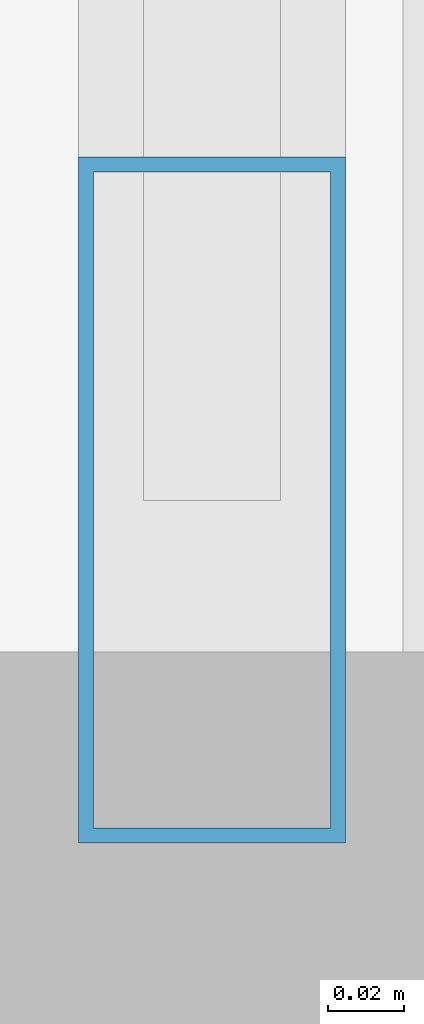
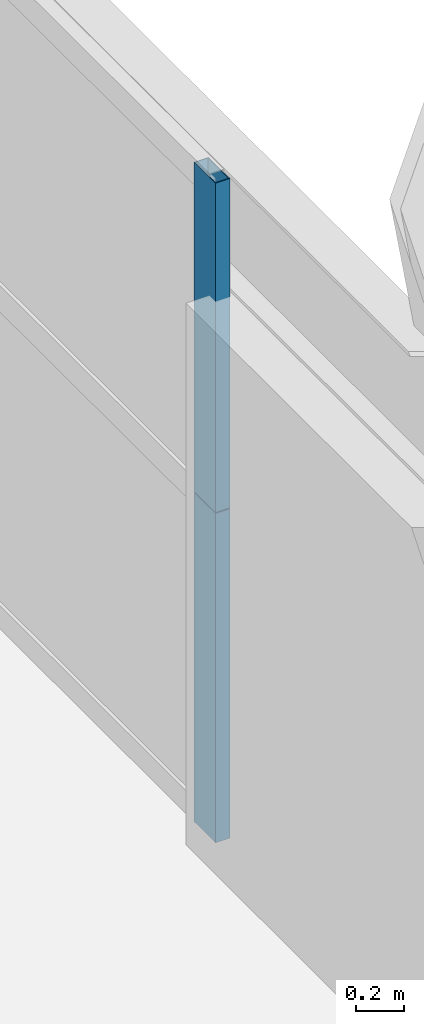
# One storey, part 17 of 41: 2 members, 1 element without a shape of its own.
"""IFC4 building model written with IfcOpenShell, lengths in metres."""

from ifc_helpers import new_model, si_unit, direction, frame, origin, origin_2d, place, context, subcontext, project, spatial, hollow_rectangle, extrude, source, transform, mapped, material, layer, layer_set, material_profile, profile_set, type_object, element, aggregate, save


model = new_model("IFC4")

# Units and contexts
model_context = context("Model", 3, precision=1e-05, world=origin(), true_north=direction((0.0, 1.0)))
body_context = subcontext(model_context, "Body", "Model", "MODEL_VIEW")
ifc_project = project(units=[si_unit("LENGTHUNIT", "METRE"), si_unit("AREAUNIT", "SQUARE_METRE"), si_unit("VOLUMEUNIT", "CUBIC_METRE"), si_unit("PLANEANGLEUNIT", "RADIAN"), si_unit("MASSUNIT", "GRAM", prefix="KILO"), si_unit("THERMODYNAMICTEMPERATUREUNIT", "KELVIN"), si_unit("POWERUNIT", "WATT")], contexts=[model_context])

# Site, building, storey
site_placement = place(None, origin())
site = spatial("IfcSite", under=ifc_project, at=site_placement, CompositionType="ELEMENT")
building_placement = place(site_placement, origin())
building = spatial("IfcBuilding", under=site, at=building_placement, Name="Yuzanri Waterfront Tower", CompositionType="ELEMENT")
storey_placement = place(building_placement, frame((0.0, 0.0, 152.39990234375)))
storey = spatial("IfcBuildingStorey", under=building, at=storey_placement, Name="L40", CompositionType="ELEMENT", Elevation=152.39990234375)

# Curtain wall, members
ifc_material_1 = material(Name="Anodized Architectural Bronze", Category="metal")
ifc_layer = layer(ifc_material_1, 0.159912109375)
ifc_layer_set = layer_set([ifc_layer], Name="Anodized Architectural Bronze")
curtain_wall_type = type_object("IfcCurtainWallType", Name="Anodized Bronze Hotel Upper-Tier Solar-Control Unitized Curtain Wall 7800", PredefinedType="NOTDEFINED", material=ifc_layer_set)
curtain_wall_placement = place(storey_placement, origin())
curtain_wall = element("IfcCurtainWall", 1, at=curtain_wall_placement, inside=storey, type_object=curtain_wall_type, Name="L40 Curtain Wall CW-L40-EL", PredefinedType="NOTDEFINED")
ifc_material_2 = material(Name="Anodized Architectural Bronze", Category="metal")
ifc_material_profile = material_profile(ifc_material_2, hollow_rectangle(XDim=0.070068359375, YDim=0.179931640625, WallThickness=0.00390625, at=origin_2d()), Name="CWM 70x180")
ifc_profile_set = profile_set([ifc_material_profile], Name="Anodized Architectural Bronze")
member_type = type_object("IfcMemberType", Name="Anodized Bronze Standard Curtain-Wall Mullion 70x180", PredefinedType="MULLION", material=ifc_profile_set)
shared_shape = source(origin(), body_context, "Body", "SweptSolid", [
    extrude(hollow_rectangle(XDim=0.070068359375, YDim=0.179931640625, WallThickness=0.00390625, at=origin_2d()), origin(), (0.0, 0.0, 1.0), 1.68798828125),
])
member_1_placement = place(storey_placement, frame((60.449951171875, 9.590087890625, 0.0), z_axis=(0.0, 0.0, 1.0), x_axis=(1.0, 0.0, 0.0)))
member_1 = element("IfcMember", 2, at=member_1_placement, type_object=member_type, Name="CW-L40-EL Lower Mullion 00", PredefinedType="MULLION", context=body_context, shape_type="MappedRepresentation", body=[
    mapped(shared_shape, transform((0.0, 0.0, 0.0), scale=1.0)),
])
member_2_placement = place(storey_placement, frame((60.449951171875, 9.590087890625, 1.692138671875), z_axis=(0.0, 0.0, 1.0), x_axis=(1.0, 0.0, 0.0)))
member_2 = element("IfcMember", 3, at=member_2_placement, type_object=member_type, Name="CW-L40-EL Upper Mullion 00", PredefinedType="MULLION", context=body_context, shape_type="MappedRepresentation", body=[
    mapped(shared_shape, transform((0.0, 0.0, 0.0), scale=1.0)),
])
aggregate(curtain_wall, [member_1, member_2])

save(model, "model.ifc")
